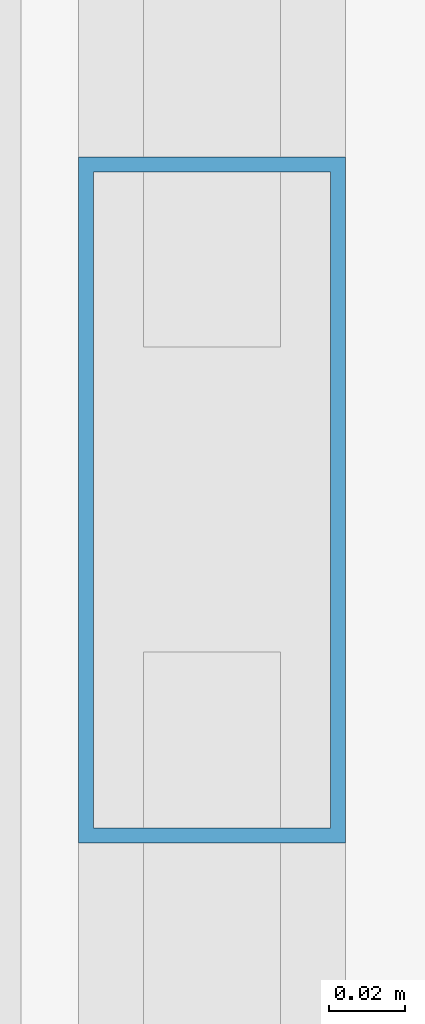
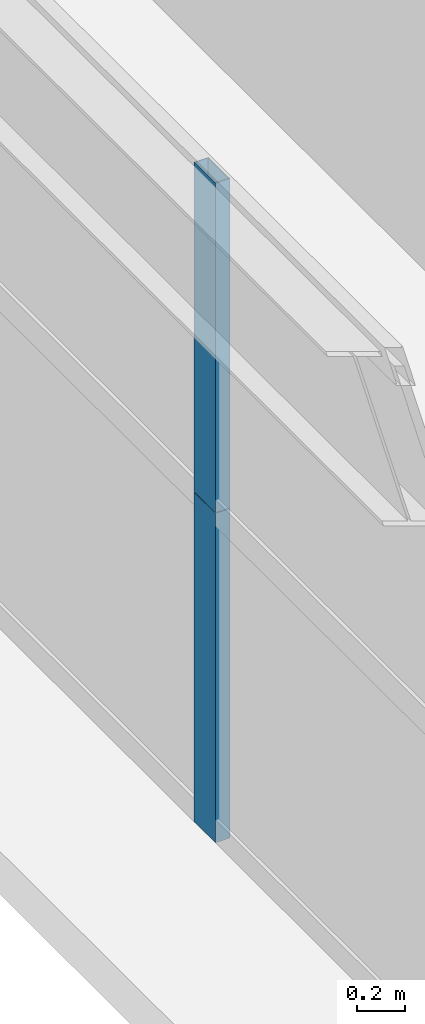
# One storey, part 22 of 43: 2 members, 1 element without a shape of its own.
"""IFC4 building model written with IfcOpenShell, lengths in metres."""

from ifc_helpers import new_model, si_unit, direction, frame, origin, origin_2d, place, context, subcontext, project, spatial, hollow_rectangle, extrude, source, transform, mapped, material, layer, layer_set, material_profile, profile_set, type_object, element, aggregate, save


model = new_model("IFC4")

# Units and contexts
model_context = context("Model", 3, precision=1e-05, world=origin(), true_north=direction((0.0, 1.0)))
body_context = subcontext(model_context, "Body", "Model", "MODEL_VIEW")
ifc_project = project(units=[si_unit("LENGTHUNIT", "METRE"), si_unit("AREAUNIT", "SQUARE_METRE"), si_unit("VOLUMEUNIT", "CUBIC_METRE"), si_unit("PLANEANGLEUNIT", "RADIAN"), si_unit("MASSUNIT", "GRAM", prefix="KILO"), si_unit("THERMODYNAMICTEMPERATUREUNIT", "KELVIN"), si_unit("POWERUNIT", "WATT")], contexts=[model_context])

# Site, building, storey
site_placement = place(None, origin())
site = spatial("IfcSite", under=ifc_project, at=site_placement, CompositionType="ELEMENT")
building_placement = place(site_placement, origin())
building = spatial("IfcBuilding", under=site, at=building_placement, Name="Yuzanri Waterfront Tower", CompositionType="ELEMENT")
storey_placement = place(building_placement, frame((0.0, 0.0, 46.0)))
storey = spatial("IfcBuildingStorey", under=building, at=storey_placement, Name="L11", CompositionType="ELEMENT", Elevation=46.0)

# Curtain wall, members
ifc_material_1 = material(Name="Anodized Architectural Bronze", Category="metal")
ifc_layer = layer(ifc_material_1, 0.159912109375)
ifc_layer_set = layer_set([ifc_layer], Name="Anodized Architectural Bronze")
curtain_wall_type = type_object("IfcCurtainWallType", Name="Anodized Bronze Hotel Lower-Tier Recessed Unitized Curtain Wall 8100", PredefinedType="NOTDEFINED", material=ifc_layer_set)
curtain_wall_placement = place(storey_placement, origin())
curtain_wall = element("IfcCurtainWall", 1, at=curtain_wall_placement, inside=storey, type_object=curtain_wall_type, Name="L11 Curtain Wall CW-L11-WR", PredefinedType="NOTDEFINED")
ifc_material_2 = material(Name="Anodized Architectural Bronze", Category="metal")
ifc_material_profile = material_profile(ifc_material_2, hollow_rectangle(XDim=0.070068359375, YDim=0.179931640625, WallThickness=0.00390625, at=origin_2d()), Name="CWM 70x180")
ifc_profile_set = profile_set([ifc_material_profile], Name="Anodized Architectural Bronze")
member_type = type_object("IfcMemberType", Name="Anodized Bronze Standard Curtain-Wall Mullion 70x180", PredefinedType="MULLION", material=ifc_profile_set)
shared_shape = source(origin(), body_context, "Body", "SweptSolid", [
    extrude(hollow_rectangle(XDim=0.070068359375, YDim=0.179931640625, WallThickness=0.00390625, at=origin_2d()), origin(), (0.0, 0.0, 1.0), 1.68798828125),
])
member_1_placement = place(storey_placement, frame((12.050048828125, 34.89990234375, 0.0), z_axis=(0.0, 0.0, 1.0), x_axis=(1.0, 0.0, 0.0)))
member_1 = element("IfcMember", 2, at=member_1_placement, type_object=member_type, Name="CW-L11-WR Lower Mullion 01", PredefinedType="MULLION", context=body_context, shape_type="MappedRepresentation", body=[
    mapped(shared_shape, transform((0.0, 0.0, 0.0), scale=1.0)),
])
member_2_placement = place(storey_placement, frame((12.050048828125, 34.89990234375, 1.69189453125), z_axis=(0.0, 0.0, 1.0), x_axis=(1.0, 0.0, 0.0)))
member_2 = element("IfcMember", 3, at=member_2_placement, type_object=member_type, Name="CW-L11-WR Upper Mullion 01", PredefinedType="MULLION", context=body_context, shape_type="MappedRepresentation", body=[
    mapped(shared_shape, transform((0.0, 0.0, 0.0), scale=1.0)),
])
aggregate(curtain_wall, [member_1, member_2])

save(model, "model.ifc")
